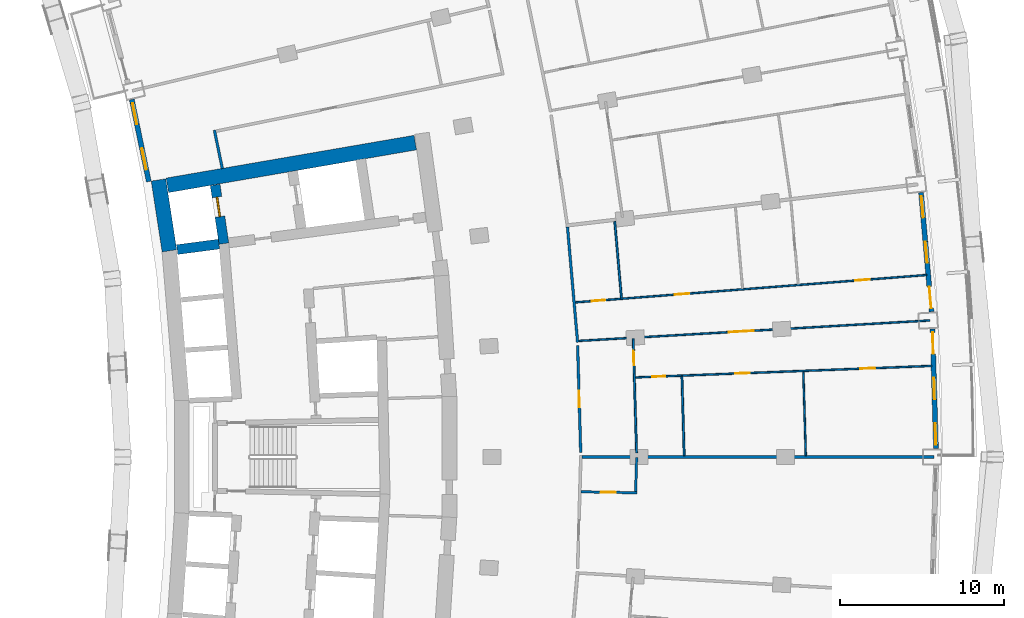
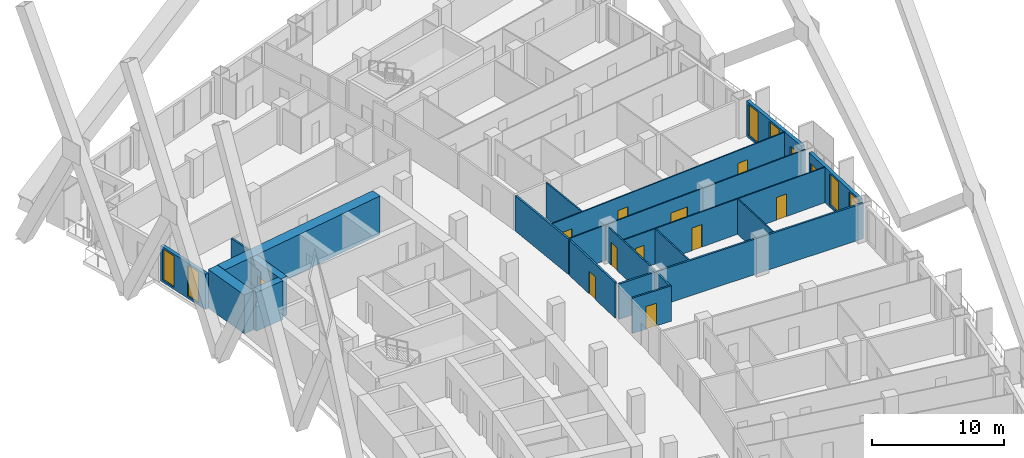
# One storey, part 16 of 23: 20 walls, 13 doors, 6 windows, 19 openings.
"""IFC4 building model written with IfcOpenShell, lengths in metres."""

from ifc_helpers import new_model, si_unit, direction, frame, frame_2d, origin, place, context, subcontext, project, spatial, rectangle, extrude, material, layer, layer_set, type_object, element, fill, save


model = new_model("IFC4")

# Units and contexts
model_context = context("Model", 3, precision=1e-05, world=origin(), true_north=direction((0.0, 1.0)))
body_context = subcontext(model_context, "Body", "Model", "MODEL_VIEW")
ifc_project = project(units=[si_unit("LENGTHUNIT", "METRE"), si_unit("AREAUNIT", "SQUARE_METRE"), si_unit("VOLUMEUNIT", "CUBIC_METRE"), si_unit("PLANEANGLEUNIT", "RADIAN"), si_unit("MASSUNIT", "GRAM", prefix="KILO")], contexts=[model_context])

# Site, building, storey
site_placement = place(None, origin())
site = spatial("IfcSite", under=ifc_project, at=site_placement, CompositionType="ELEMENT")
building_placement = place(site_placement, origin())
building = spatial("IfcBuilding", under=site, at=building_placement, Name="Alderwake Tower", CompositionType="ELEMENT")
storey_placement = place(building_placement, frame((0.0, 0.0, 53.60009765625)))
storey = spatial("IfcBuildingStorey", under=building, at=storey_placement, Name="L12", CompositionType="ELEMENT", Elevation=53.60009765625)

# Walls
ifc_material_1 = material(Name="Concrete C70/85", Category="concrete")
ifc_layer_1 = layer(ifc_material_1, 0.89990234375)
ifc_layer_set_1 = layer_set([ifc_layer_1], Name="Core wall outer 900 C70-85")
wall_type_1 = type_object("IfcWallType", Name="Core wall outer 900 C70-85", PredefinedType="SHEAR", material=ifc_layer_set_1)
wall_1_placement = place(storey_placement, frame((16.1337890625, 73.557373046875, 0.0), z_axis=(0.0, 0.0, 1.0), x_axis=(-0.151956504286, 0.988387181627, 0.0)))
element("IfcWall", 1, at=wall_1_placement, inside=storey, type_object=wall_type_1, Name="Core wall CW.039", PredefinedType="SHEAR", context=body_context, shape_type="SweptSolid", body=[
    extrude(rectangle(XDim=4.373291015625, YDim=0.89990234375, at=frame_2d((2.1865234375, 0.0))), origin(), (0.0, 0.0, 1.0), 3.599853515625),
])
wall_2_placement = place(storey_placement, frame((16.005615234375, 77.548828125, 0.0), z_axis=(0.0, 0.0, 1.0), x_axis=(0.985465815888, 0.169873852363, 0.0)))
element("IfcWall", 2, at=wall_2_placement, inside=storey, type_object=wall_type_1, Name="Core wall CW.053", PredefinedType="SHEAR", context=body_context, shape_type="SweptSolid", body=[
    extrude(rectangle(XDim=15.33056640625, YDim=0.89990234375, at=frame_2d((7.665283203125, 0.0))), origin(), (0.0, 0.0, 1.0), 3.599853515625),
])

# Wall, opening, door
ifc_material_2 = material(Name="Concrete C70/85", Category="concrete")
ifc_layer_2 = layer(ifc_material_2, 0.60009765625)
ifc_layer_set_2 = layer_set([ifc_layer_2], Name="Core wall spine 600 C70-85")
wall_type_2 = type_object("IfcWallType", Name="Core wall spine 600 C70-85", PredefinedType="SHEAR", material=ifc_layer_set_2)
wall_3_placement = place(storey_placement, frame((19.45458984375, 73.99755859375, 0.0), z_axis=(0.0, 0.0, 1.0), x_axis=(-0.147502312715, 0.989061710786, 0.0)))
wall_3 = element("IfcWall", 3, at=wall_3_placement, inside=storey, type_object=wall_type_2, Name="Core wall CW.030", PredefinedType="SHEAR", context=body_context, shape_type="SweptSolid", body=[
    extrude(rectangle(XDim=3.6181640625, YDim=0.60009765625, at=frame_2d((1.80908203125, 0.0))), origin(), (0.0, 0.0, 1.0), 3.599853515625),
])
opening_1_placement = place(wall_3_placement, frame((1.664306640625, 0.0, 0.0)))
opening_1 = element("IfcOpeningElement", 4, at=opening_1_placement, cuts=wall_3, Name="Opening LD-FF1", PredefinedType="OPENING", context=body_context, shape_type="SweptSolid", body=[
    extrude(rectangle(XDim=1.199951171875, YDim=2.300048828125, at=frame_2d((0.60009765625, 1.14990234375))), frame((0.0, 0.31005859375, 0.0), z_axis=(0.0, -1.0, 0.0), x_axis=(1.0, 0.0, 0.0)), (0.0, 0.0, 1.0), 0.6201171875),
])
ifc_material_3 = material(Name="Stainless steel sliding leaf", Category="steel")
door_type_1 = type_object("IfcDoorType", Name="Lift landing door 1200", OperationType="SLIDING_TO_LEFT", PredefinedType="DOOR", material=ifc_material_3)
door_1_placement = place(opening_1_placement, origin())
door_1 = element("IfcDoor", 5, at=door_1_placement, inside=storey, type_object=door_type_1, Name="Lift landing door FF1", OperationType="SLIDING_TO_LEFT", OverallHeight=2.300048828125, OverallWidth=1.199951171875, PredefinedType="DOOR", context=body_context, shape_type="SweptSolid", body=[
    extrude(rectangle(XDim=1.199951171875, YDim=2.300048828125, at=frame_2d((0.60009765625, 1.14990234375))), frame((0.0, 0.050048828125, 0.0), z_axis=(0.0, -1.0, 0.0), x_axis=(1.0, 0.0, 0.0)), (0.0, 0.0, 1.0), 0.10009765625),
])
fill(opening_1, door_1)

# Walls
wall_4_placement = place(storey_placement, frame((16.607666015625, 73.635498046875, 0.0), z_axis=(0.0, 0.0, 1.0), x_axis=(0.991551057449, 0.129717001478, 0.0)))
element("IfcWall", 6, at=wall_4_placement, inside=storey, type_object=wall_type_2, Name="Core wall CW.051", PredefinedType="SHEAR", context=body_context, shape_type="SweptSolid", body=[
    extrude(rectangle(XDim=2.569091796875, YDim=0.60009765625, at=frame_2d((1.28466796875, 0.0))), origin(), (0.0, 0.0, 1.0), 3.599853515625),
])
ifc_material_4 = material(Name="Gypsum board on metal studs, rated")
ifc_layer_3 = layer(ifc_material_4, 0.159912109375)
ifc_layer_set_3 = layer_set([ifc_layer_3], Name="Corridor wall 160")
wall_type_3 = type_object("IfcWallType", Name="Corridor wall 160", PredefinedType="PARTITIONING", material=ifc_layer_set_3)
wall_5_placement = place(storey_placement, frame((18.874755859375, 80.910400390625, 0.0), z_axis=(0.0, 0.0, 1.0), x_axis=(0.202312089075, -0.979321100873, 0.0)))
element("IfcWall", 7, at=wall_5_placement, inside=storey, type_object=wall_type_3, Name="WL/L12/W15", PredefinedType="PARTITIONING", context=body_context, shape_type="SweptSolid", body=[
    extrude(rectangle(XDim=2.39306640625, YDim=0.159912109375, at=frame_2d((1.196533203125, 0.0))), origin(), (0.0, 0.0, 1.0), 3.27978515625),
])
wall_6_placement = place(storey_placement, frame((41.001953125, 67.9873046875, 0.0), z_axis=(0.0, 0.0, 1.0), x_axis=(-0.087430787456, 0.996170596537, 0.0)))
element("IfcWall", 8, at=wall_6_placement, inside=storey, type_object=wall_type_3, Name="WL/L12/W37", PredefinedType="PARTITIONING", context=body_context, shape_type="SweptSolid", body=[
    extrude(rectangle(XDim=7.048095703125, YDim=0.159912109375, at=frame_2d((3.52392578125, 0.0))), origin(), (0.0, 0.0, 1.0), 3.27978515625),
])

# Wall, opening, door
wall_7_placement = place(storey_placement, frame((41.002685546875, 67.80029296875, 0.0), z_axis=(0.0, 0.0, 1.0), x_axis=(0.02886788617, -0.999583235728, 0.0)))
wall_7 = element("IfcWall", 9, at=wall_7_placement, inside=storey, type_object=wall_type_3, Name="WL/L12/W38", PredefinedType="PARTITIONING", context=body_context, shape_type="SweptSolid", body=[
    extrude(rectangle(XDim=6.537353515625, YDim=0.159912109375, at=frame_2d((3.2685546875, 0.0))), origin(), (0.0, 0.0, 1.0), 3.27978515625),
])
opening_2_placement = place(wall_7_placement, frame((2.768798828125, 0.0, 0.0)))
opening_2 = element("IfcOpeningElement", 10, at=opening_2_placement, cuts=wall_7, Name="Opening R03-U07.2", PredefinedType="OPENING", context=body_context, shape_type="SweptSolid", body=[
    extrude(rectangle(XDim=1.0, YDim=2.10009765625, at=frame_2d((0.5, 1.050048828125))), frame((0.0, 0.08984375, 0.0), z_axis=(0.0, -1.0, 0.0), x_axis=(1.0, 0.0, 0.0)), (0.0, 0.0, 1.0), 0.179931640625),
])
ifc_material_5 = material(Name="Solid timber leaf in steel frame", Category="steel")
door_type_2 = type_object("IfcDoorType", Name="Flat entrance door 1000 fire-rated", OperationType="SINGLE_SWING_LEFT", PredefinedType="DOOR", material=ifc_material_5)
door_2_placement = place(opening_2_placement, origin())
door_2 = element("IfcDoor", 11, at=door_2_placement, inside=storey, type_object=door_type_2, Name="DR/L12/U07.2", OperationType="SINGLE_SWING_LEFT", OverallHeight=2.10009765625, OverallWidth=1.0, PredefinedType="DOOR", context=body_context, shape_type="SweptSolid", body=[
    extrude(rectangle(XDim=1.0, YDim=2.10009765625, at=frame_2d((0.5, 1.050048828125))), frame((0.0, 0.02490234375, 0.0), z_axis=(0.0, -1.0, 0.0), x_axis=(1.0, 0.0, 0.0)), (0.0, 0.0, 1.0), 0.050048828125),
])
fill(opening_2, door_2)

# Wall
wall_8_placement = place(storey_placement, frame((62.699951171875, 60.9990234375, 0.0), z_axis=(0.0, 0.0, 1.0), x_axis=(-1.0, 0.0, 0.0)))
element("IfcWall", 12, at=wall_8_placement, inside=storey, type_object=wall_type_3, Name="WL/L12/W40", PredefinedType="PARTITIONING", context=body_context, shape_type="SweptSolid", body=[
    extrude(rectangle(XDim=21.4208984375, YDim=0.159912109375, at=frame_2d((10.71044921875, 0.0))), origin(), (0.0, 0.0, 1.0), 3.27978515625),
])

# Wall, openings, door, windows
ifc_material_6 = material(Name="Precast concrete C50/60 spandrel panel", Category="concrete")
ifc_layer_4 = layer(ifc_material_6, 0.300048828125)
ifc_layer_set_4 = layer_set([ifc_layer_4], Name="External wall EW1 Precast concrete C50/60 spandrel")
wall_type_4 = type_object("IfcWallType", Name="External wall EW1 Precast concrete C50/60 spandrel", PredefinedType="SOLIDWALL", material=ifc_layer_set_4)
wall_9_placement = place(storey_placement, frame((62.834716796875, 61.5244140625, 0.0), z_axis=(0.0, 0.0, 1.0), x_axis=(-0.029166550581, 0.999574565666, 0.0)))
wall_9 = element("IfcWall", 13, at=wall_9_placement, inside=storey, type_object=wall_type_4, Name="External wall 17", PredefinedType="SOLIDWALL", context=body_context, shape_type="SweptSolid", body=[
    extrude(rectangle(XDim=7.282470703125, YDim=0.300048828125, at=frame_2d((3.64111328125, 0.0))), origin(), (0.0, 0.0, 1.0), 3.27978515625),
])
opening_3_placement = place(wall_9_placement, frame((0.218994140625, 0.0, 0.199951171875)))
opening_3 = element("IfcOpeningElement", 14, at=opening_3_placement, cuts=wall_9, Name="Opening W1", PredefinedType="OPENING", context=body_context, shape_type="SweptSolid", body=[
    extrude(rectangle(XDim=1.300048828125, YDim=2.89990234375, at=frame_2d((0.64990234375, 1.449951171875))), frame((0.0, 0.159912109375, 0.0), z_axis=(0.0, -1.0, 0.0), x_axis=(1.0, 0.0, 0.0)), (0.0, 0.0, 1.0), 0.320068359375),
])
opening_4_placement = place(wall_9_placement, frame((2.9912109375, 0.0, 0.199951171875)))
opening_4 = element("IfcOpeningElement", 15, at=opening_4_placement, cuts=wall_9, Name="Opening W1", PredefinedType="OPENING", context=body_context, shape_type="SweptSolid", body=[
    extrude(rectangle(XDim=1.300048828125, YDim=2.89990234375, at=frame_2d((0.64990234375, 1.449951171875))), frame((0.0, 0.159912109375, 0.0), z_axis=(0.0, -1.0, 0.0), x_axis=(1.0, 0.0, 0.0)), (0.0, 0.0, 1.0), 0.320068359375),
])
opening_5_placement = place(wall_9_placement, frame((5.763671875, 0.0, 0.0)))
opening_5 = element("IfcOpeningElement", 16, at=opening_5_placement, cuts=wall_9, Name="Opening D07", PredefinedType="OPENING", context=body_context, shape_type="SweptSolid", body=[
    extrude(rectangle(XDim=1.300048828125, YDim=2.39990234375, at=frame_2d((0.64990234375, 1.199951171875))), frame((0.0, 0.159912109375, 0.0), z_axis=(0.0, -1.0, 0.0), x_axis=(1.0, 0.0, 0.0)), (0.0, 0.0, 1.0), 0.320068359375),
])
ifc_material_7 = material(Name="Bronze tinted glass in aluminium frame", Category="aluminium")
door_type_3 = type_object("IfcDoorType", Name="Balcony door BD sliding", OperationType="SLIDING_TO_LEFT", PredefinedType="DOOR", material=ifc_material_7)
door_3_placement = place(opening_5_placement, origin())
door_3 = element("IfcDoor", 17, at=door_3_placement, inside=storey, type_object=door_type_3, Name="Door D07", OperationType="SLIDING_TO_LEFT", OverallHeight=2.39990234375, OverallWidth=1.300048828125, PredefinedType="DOOR", context=body_context, shape_type="SweptSolid", body=[
    extrude(rectangle(XDim=1.300048828125, YDim=2.39990234375, at=frame_2d((0.64990234375, 1.199951171875))), frame((0.0, 0.02490234375, 0.0), z_axis=(0.0, -1.0, 0.0), x_axis=(1.0, 0.0, 0.0)), (0.0, 0.0, 1.0), 0.050048828125),
])
fill(opening_5, door_3)
ifc_material_8 = material(Name="Bronze tinted glass in aluminium frame", Category="aluminium")
window_type = type_object("IfcWindowType", Name="Window W1 tall fixed and vent", PartitioningType="DOUBLE_PANEL_VERTICAL", PredefinedType="WINDOW", material=ifc_material_8)
window_1_placement = place(opening_3_placement, origin())
window_1 = element("IfcWindow", 18, at=window_1_placement, inside=storey, type_object=window_type, Name="Window W1 tall fixed and vent", OverallHeight=2.89990234375, OverallWidth=1.300048828125, PartitioningType="DOUBLE_PANEL_VERTICAL", PredefinedType="WINDOW", context=body_context, shape_type="SweptSolid", body=[
    extrude(rectangle(XDim=1.300048828125, YDim=2.89990234375, at=frame_2d((0.64990234375, 1.449951171875))), frame((0.0, 0.030029296875, 0.0), z_axis=(0.0, -1.0, 0.0), x_axis=(1.0, 0.0, 0.0)), (0.0, 0.0, 1.0), 0.06005859375),
])
fill(opening_3, window_1)
window_2_placement = place(opening_4_placement, origin())
window_2 = element("IfcWindow", 19, at=window_2_placement, inside=storey, type_object=window_type, Name="Window W1 tall fixed and vent", OverallHeight=2.89990234375, OverallWidth=1.300048828125, PartitioningType="DOUBLE_PANEL_VERTICAL", PredefinedType="WINDOW", context=body_context, shape_type="SweptSolid", body=[
    extrude(rectangle(XDim=1.300048828125, YDim=2.89990234375, at=frame_2d((0.64990234375, 1.449951171875))), frame((0.0, 0.030029296875, 0.0), z_axis=(0.0, -1.0, 0.0), x_axis=(1.0, 0.0, 0.0)), (0.0, 0.0, 1.0), 0.06005859375),
])
fill(opening_4, window_2)

wall_10_placement = place(storey_placement, frame((62.56103515625, 69.8505859375, 0.0), z_axis=(0.0, 0.0, 1.0), x_axis=(-0.087361569519, 0.996176669156, 0.0)))
wall_10 = element("IfcWall", 20, at=wall_10_placement, inside=storey, type_object=wall_type_4, Name="External wall 18", PredefinedType="SOLIDWALL", context=body_context, shape_type="SweptSolid", body=[
    extrude(rectangle(XDim=7.28271484375, YDim=0.300048828125, at=frame_2d((3.641357421875, 0.0))), origin(), (0.0, 0.0, 1.0), 3.27978515625),
])
opening_6_placement = place(wall_10_placement, frame((0.218994140625, 0.0, 0.0)))
opening_6 = element("IfcOpeningElement", 21, at=opening_6_placement, cuts=wall_10, Name="Opening D08", PredefinedType="OPENING", context=body_context, shape_type="SweptSolid", body=[
    extrude(rectangle(XDim=1.300048828125, YDim=2.39990234375, at=frame_2d((0.64990234375, 1.199951171875))), frame((0.0, 0.159912109375, 0.0), z_axis=(0.0, -1.0, 0.0), x_axis=(1.0, 0.0, 0.0)), (0.0, 0.0, 1.0), 0.320068359375),
])
opening_7_placement = place(wall_10_placement, frame((2.9912109375, 0.0, 0.199951171875)))
opening_7 = element("IfcOpeningElement", 22, at=opening_7_placement, cuts=wall_10, Name="Opening W1", PredefinedType="OPENING", context=body_context, shape_type="SweptSolid", body=[
    extrude(rectangle(XDim=1.300048828125, YDim=2.89990234375, at=frame_2d((0.64990234375, 1.449951171875))), frame((0.0, 0.159912109375, 0.0), z_axis=(0.0, -1.0, 0.0), x_axis=(1.0, 0.0, 0.0)), (0.0, 0.0, 1.0), 0.320068359375),
])
opening_8_placement = place(wall_10_placement, frame((5.763671875, 0.0, 0.199951171875)))
opening_8 = element("IfcOpeningElement", 23, at=opening_8_placement, cuts=wall_10, Name="Opening W1", PredefinedType="OPENING", context=body_context, shape_type="SweptSolid", body=[
    extrude(rectangle(XDim=1.300048828125, YDim=2.89990234375, at=frame_2d((0.64990234375, 1.449951171875))), frame((0.0, 0.159912109375, 0.0), z_axis=(0.0, -1.0, 0.0), x_axis=(1.0, 0.0, 0.0)), (0.0, 0.0, 1.0), 0.320068359375),
])
door_4_placement = place(opening_6_placement, origin())
door_4 = element("IfcDoor", 24, at=door_4_placement, inside=storey, type_object=door_type_3, Name="Door D08", OperationType="SLIDING_TO_LEFT", OverallHeight=2.39990234375, OverallWidth=1.300048828125, PredefinedType="DOOR", context=body_context, shape_type="SweptSolid", body=[
    extrude(rectangle(XDim=1.300048828125, YDim=2.39990234375, at=frame_2d((0.64990234375, 1.199951171875))), frame((0.0, 0.02490234375, 0.0), z_axis=(0.0, -1.0, 0.0), x_axis=(1.0, 0.0, 0.0)), (0.0, 0.0, 1.0), 0.050048828125),
])
fill(opening_6, door_4)
window_3_placement = place(opening_7_placement, origin())
window_3 = element("IfcWindow", 25, at=window_3_placement, inside=storey, type_object=window_type, Name="Window W1 tall fixed and vent", OverallHeight=2.89990234375, OverallWidth=1.300048828125, PartitioningType="DOUBLE_PANEL_VERTICAL", PredefinedType="WINDOW", context=body_context, shape_type="SweptSolid", body=[
    extrude(rectangle(XDim=1.300048828125, YDim=2.89990234375, at=frame_2d((0.64990234375, 1.449951171875))), frame((0.0, 0.030029296875, 0.0), z_axis=(0.0, -1.0, 0.0), x_axis=(1.0, 0.0, 0.0)), (0.0, 0.0, 1.0), 0.06005859375),
])
fill(opening_7, window_3)
window_4_placement = place(opening_8_placement, origin())
window_4 = element("IfcWindow", 26, at=window_4_placement, inside=storey, type_object=window_type, Name="Window W1 tall fixed and vent", OverallHeight=2.89990234375, OverallWidth=1.300048828125, PartitioningType="DOUBLE_PANEL_VERTICAL", PredefinedType="WINDOW", context=body_context, shape_type="SweptSolid", body=[
    extrude(rectangle(XDim=1.300048828125, YDim=2.89990234375, at=frame_2d((0.64990234375, 1.449951171875))), frame((0.0, 0.030029296875, 0.0), z_axis=(0.0, -1.0, 0.0), x_axis=(1.0, 0.0, 0.0)), (0.0, 0.0, 1.0), 0.06005859375),
])
fill(opening_8, window_4)

# Wall, openings, windows
wall_11_placement = place(storey_placement, frame((13.842529296875, 82.77880859375, 0.0), z_axis=(0.0, 0.0, 1.0), x_axis=(0.202738354746, -0.979232944459, 0.0)))
wall_11 = element("IfcWall", 27, at=wall_11_placement, inside=storey, type_object=wall_type_4, Name="External wall 34", PredefinedType="SOLIDWALL", context=body_context, shape_type="SweptSolid", body=[
    extrude(rectangle(XDim=5.1083984375, YDim=0.300048828125, at=frame_2d((2.55419921875, 0.0))), origin(), (0.0, 0.0, 1.0), 3.27978515625),
])
opening_9_placement = place(wall_11_placement, frame((0.239013671875, 0.0, 0.199951171875)))
opening_9 = element("IfcOpeningElement", 28, at=opening_9_placement, cuts=wall_11, Name="Opening W1", PredefinedType="OPENING", context=body_context, shape_type="SweptSolid", body=[
    extrude(rectangle(XDim=1.300048828125, YDim=2.89990234375, at=frame_2d((0.64990234375, 1.449951171875))), frame((0.0, 0.159912109375, 0.0), z_axis=(0.0, -1.0, 0.0), x_axis=(1.0, 0.0, 0.0)), (0.0, 0.0, 1.0), 0.320068359375),
])
opening_10_placement = place(wall_11_placement, frame((3.0517578125, 0.0, 0.199951171875)))
opening_10 = element("IfcOpeningElement", 29, at=opening_10_placement, cuts=wall_11, Name="Opening W1", PredefinedType="OPENING", context=body_context, shape_type="SweptSolid", body=[
    extrude(rectangle(XDim=1.300048828125, YDim=2.89990234375, at=frame_2d((0.64990234375, 1.449951171875))), frame((0.0, 0.159912109375, 0.0), z_axis=(0.0, -1.0, 0.0), x_axis=(1.0, 0.0, 0.0)), (0.0, 0.0, 1.0), 0.320068359375),
])
window_5_placement = place(opening_9_placement, origin())
window_5 = element("IfcWindow", 30, at=window_5_placement, inside=storey, type_object=window_type, Name="Window W1 tall fixed and vent", OverallHeight=2.89990234375, OverallWidth=1.300048828125, PartitioningType="DOUBLE_PANEL_VERTICAL", PredefinedType="WINDOW", context=body_context, shape_type="SweptSolid", body=[
    extrude(rectangle(XDim=1.300048828125, YDim=2.89990234375, at=frame_2d((0.64990234375, 1.449951171875))), frame((0.0, 0.030029296875, 0.0), z_axis=(0.0, -1.0, 0.0), x_axis=(1.0, 0.0, 0.0)), (0.0, 0.0, 1.0), 0.06005859375),
])
fill(opening_9, window_5)
window_6_placement = place(opening_10_placement, origin())
window_6 = element("IfcWindow", 31, at=window_6_placement, inside=storey, type_object=window_type, Name="Window W1 tall fixed and vent", OverallHeight=2.89990234375, OverallWidth=1.300048828125, PartitioningType="DOUBLE_PANEL_VERTICAL", PredefinedType="WINDOW", context=body_context, shape_type="SweptSolid", body=[
    extrude(rectangle(XDim=1.300048828125, YDim=2.89990234375, at=frame_2d((0.64990234375, 1.449951171875))), frame((0.0, 0.030029296875, 0.0), z_axis=(0.0, -1.0, 0.0), x_axis=(1.0, 0.0, 0.0)), (0.0, 0.0, 1.0), 0.06005859375),
])
fill(opening_10, window_6)

# Wall, opening, door
ifc_material_9 = material(Name="Gypsum shaft wall system, rated")
ifc_layer_5 = layer(ifc_material_9, 0.14990234375)
ifc_layer_set_5 = layer_set([ifc_layer_5], Name="Riser and shaft wall 150")
wall_type_5 = type_object("IfcWallType", Name="Riser and shaft wall 150", PredefinedType="PARTITIONING", material=ifc_layer_set_5)
wall_12_placement = place(storey_placement, frame((41.218994140625, 58.879638671875, 0.0), z_axis=(0.0, 0.0, 1.0), x_axis=(0.999843204507, -0.017707806214, 0.0)))
wall_12 = element("IfcWall", 32, at=wall_12_placement, inside=storey, type_object=wall_type_5, Name="WL/L12/W11", PredefinedType="PARTITIONING", context=body_context, shape_type="SweptSolid", body=[
    extrude(rectangle(XDim=3.3916015625, YDim=0.14990234375, at=frame_2d((1.69580078125, 0.0))), origin(), (0.0, 0.0, 1.0), 3.27978515625),
])
opening_11_placement = place(wall_12_placement, frame((1.208984375, 0.0, 0.0)))
opening_11 = element("IfcOpeningElement", 33, at=opening_11_placement, cuts=wall_12, Name="Opening R03-AM1.2", PredefinedType="OPENING", context=body_context, shape_type="SweptSolid", body=[
    extrude(rectangle(XDim=0.89990234375, YDim=2.10009765625, at=frame_2d((0.449951171875, 1.050048828125))), frame((0.0, 0.0849609375, 0.0), z_axis=(0.0, -1.0, 0.0), x_axis=(1.0, 0.0, 0.0)), (0.0, 0.0, 1.0), 0.169921875),
])
ifc_material_10 = material(Name="Painted timber leaf", Category="wood")
door_type_4 = type_object("IfcDoorType", Name="Room door 900", OperationType="SINGLE_SWING_LEFT", PredefinedType="DOOR", material=ifc_material_10)
door_5_placement = place(opening_11_placement, origin())
door_5 = element("IfcDoor", 34, at=door_5_placement, inside=storey, type_object=door_type_4, Name="DR/L12/AM1.2", OperationType="SINGLE_SWING_LEFT", OverallHeight=2.10009765625, OverallWidth=0.89990234375, PredefinedType="DOOR", context=body_context, shape_type="SweptSolid", body=[
    extrude(rectangle(XDim=0.89990234375, YDim=2.10009765625, at=frame_2d((0.449951171875, 1.050048828125))), frame((0.0, 0.02490234375, 0.0), z_axis=(0.0, -1.0, 0.0), x_axis=(1.0, 0.0, 0.0)), (0.0, 0.0, 1.0), 0.050048828125),
])
fill(opening_11, door_5)

# Wall
wall_13_placement = place(storey_placement, frame((44.537353515625, 58.89599609375, 0.0), z_axis=(0.0, 0.0, 1.0), x_axis=(0.030225283969, 0.999543111731, 0.0)))
element("IfcWall", 35, at=wall_13_placement, inside=storey, type_object=wall_type_5, Name="WL/L12/W12", PredefinedType="PARTITIONING", context=body_context, shape_type="SweptSolid", body=[
    extrude(rectangle(XDim=2.083984375, YDim=0.14990234375, at=frame_2d((1.0419921875, 0.0))), origin(), (0.0, 0.0, 1.0), 3.27978515625),
])

# Wall, openings, doors
ifc_material_11 = material(Name="Gypsum board on metal studs")
ifc_layer_6 = layer(ifc_material_11, 0.10009765625)
ifc_layer_set_6 = layer_set([ifc_layer_6], Name="Unit partition 100")
wall_type_6 = type_object("IfcWallType", Name="Unit partition 100", PredefinedType="PARTITIONING", material=ifc_layer_set_6)
wall_14_placement = place(storey_placement, frame((40.867919921875, 70.419189453125, 0.0), z_axis=(0.0, 0.0, 1.0), x_axis=(0.996976285656, 0.07770640797, 0.0)))
wall_14 = element("IfcWall", 36, at=wall_14_placement, inside=storey, type_object=wall_type_6, Name="WL/L12/W70", PredefinedType="PARTITIONING", context=body_context, shape_type="SweptSolid", body=[
    extrude(rectangle(XDim=21.4619140625, YDim=0.10009765625, at=frame_2d((10.73095703125, 0.0))), origin(), (0.0, 0.0, 1.0), 3.27978515625),
])
opening_12_placement = place(wall_14_placement, frame((6.0703125, 0.0, 0.0)))
opening_12 = element("IfcOpeningElement", 37, at=opening_12_placement, cuts=wall_14, Name="Opening R03-U07.6", PredefinedType="OPENING", context=body_context, shape_type="SweptSolid", body=[
    extrude(rectangle(XDim=0.89990234375, YDim=2.10009765625, at=frame_2d((0.449951171875, 1.050048828125))), frame((0.0, 0.06005859375, 0.0), z_axis=(0.0, -1.0, 0.0), x_axis=(1.0, 0.0, 0.0)), (0.0, 0.0, 1.0), 0.1201171875),
])
opening_13_placement = place(wall_14_placement, frame((1.009521484375, 0.0, 0.0)))
opening_13 = element("IfcOpeningElement", 38, at=opening_13_placement, cuts=wall_14, Name="Opening R03-U07.7", PredefinedType="OPENING", context=body_context, shape_type="SweptSolid", body=[
    extrude(rectangle(XDim=0.800048828125, YDim=2.10009765625, at=frame_2d((0.39990234375, 1.050048828125))), frame((0.0, 0.06005859375, 0.0), z_axis=(0.0, -1.0, 0.0), x_axis=(1.0, 0.0, 0.0)), (0.0, 0.0, 1.0), 0.1201171875),
])
opening_14_placement = place(wall_14_placement, frame((17.0908203125, 0.0, 0.0)))
opening_14 = element("IfcOpeningElement", 39, at=opening_14_placement, cuts=wall_14, Name="Opening R03-U07.8", PredefinedType="OPENING", context=body_context, shape_type="SweptSolid", body=[
    extrude(rectangle(XDim=0.89990234375, YDim=2.10009765625, at=frame_2d((0.449951171875, 1.050048828125))), frame((0.0, 0.06005859375, 0.0), z_axis=(0.0, -1.0, 0.0), x_axis=(1.0, 0.0, 0.0)), (0.0, 0.0, 1.0), 0.1201171875),
])
ifc_material_12 = material(Name="Painted timber leaf", Category="wood")
door_type_5 = type_object("IfcDoorType", Name="Bathroom door 800", OperationType="SINGLE_SWING_LEFT", PredefinedType="DOOR", material=ifc_material_12)
door_6_placement = place(opening_13_placement, origin())
door_6 = element("IfcDoor", 40, at=door_6_placement, inside=storey, type_object=door_type_5, Name="DR/L12/U07.7", OperationType="SINGLE_SWING_LEFT", OverallHeight=2.10009765625, OverallWidth=0.800048828125, PredefinedType="DOOR", context=body_context, shape_type="SweptSolid", body=[
    extrude(rectangle(XDim=0.800048828125, YDim=2.10009765625, at=frame_2d((0.39990234375, 1.050048828125))), frame((0.0, 0.02490234375, 0.0), z_axis=(0.0, -1.0, 0.0), x_axis=(1.0, 0.0, 0.0)), (0.0, 0.0, 1.0), 0.050048828125),
])
fill(opening_13, door_6)
door_7_placement = place(opening_12_placement, origin())
door_7 = element("IfcDoor", 41, at=door_7_placement, inside=storey, type_object=door_type_4, Name="DR/L12/U07.6", OperationType="SINGLE_SWING_LEFT", OverallHeight=2.10009765625, OverallWidth=0.89990234375, PredefinedType="DOOR", context=body_context, shape_type="SweptSolid", body=[
    extrude(rectangle(XDim=0.89990234375, YDim=2.10009765625, at=frame_2d((0.449951171875, 1.050048828125))), frame((0.0, 0.02490234375, 0.0), z_axis=(0.0, -1.0, 0.0), x_axis=(1.0, 0.0, 0.0)), (0.0, 0.0, 1.0), 0.050048828125),
])
fill(opening_12, door_7)
door_8_placement = place(opening_14_placement, origin())
door_8 = element("IfcDoor", 42, at=door_8_placement, inside=storey, type_object=door_type_4, Name="DR/L12/U07.8", OperationType="SINGLE_SWING_LEFT", OverallHeight=2.10009765625, OverallWidth=0.89990234375, PredefinedType="DOOR", context=body_context, shape_type="SweptSolid", body=[
    extrude(rectangle(XDim=0.89990234375, YDim=2.10009765625, at=frame_2d((0.449951171875, 1.050048828125))), frame((0.0, 0.02490234375, 0.0), z_axis=(0.0, -1.0, 0.0), x_axis=(1.0, 0.0, 0.0)), (0.0, 0.0, 1.0), 0.050048828125),
])
fill(opening_14, door_8)

# Wall, opening, door
wall_15_placement = place(storey_placement, frame((41.074951171875, 68.07177734375, 0.0), z_axis=(0.0, 0.0, 1.0), x_axis=(0.99830551882, 0.058190128836, 0.0)))
wall_15 = element("IfcWall", 43, at=wall_15_placement, inside=storey, type_object=wall_type_6, Name="WL/L12/W71", PredefinedType="PARTITIONING", context=body_context, shape_type="SweptSolid", body=[
    extrude(rectangle(XDim=21.41845703125, YDim=0.10009765625, at=frame_2d((10.709228515625, 0.0))), origin(), (0.0, 0.0, 1.0), 3.27978515625),
])
opening_15_placement = place(wall_15_placement, frame((9.164306640625, 0.0, 0.0)))
opening_15 = element("IfcOpeningElement", 44, at=opening_15_placement, cuts=wall_15, Name="Opening R03-U07.10", PredefinedType="OPENING", context=body_context, shape_type="SweptSolid", body=[
    extrude(rectangle(XDim=1.5, YDim=2.10009765625, at=frame_2d((0.75, 1.050048828125))), frame((0.0, 0.06005859375, 0.0), z_axis=(0.0, -1.0, 0.0), x_axis=(1.0, 0.0, 0.0)), (0.0, 0.0, 1.0), 0.1201171875),
])
ifc_material_13 = material(Name="Painted timber leaves", Category="wood")
door_type_6 = type_object("IfcDoorType", Name="Double leaf door 1500", OperationType="DOUBLE_DOOR_SINGLE_SWING", PredefinedType="DOOR", material=ifc_material_13)
door_9_placement = place(opening_15_placement, origin())
door_9 = element("IfcDoor", 45, at=door_9_placement, inside=storey, type_object=door_type_6, Name="DR/L12/U07.10", OperationType="DOUBLE_DOOR_SINGLE_SWING", OverallHeight=2.10009765625, OverallWidth=1.5, PredefinedType="DOOR", context=body_context, shape_type="SweptSolid", body=[
    extrude(rectangle(XDim=1.5, YDim=2.10009765625, at=frame_2d((0.75, 1.050048828125))), frame((0.0, 0.02490234375, 0.0), z_axis=(0.0, -1.0, 0.0), x_axis=(1.0, 0.0, 0.0)), (0.0, 0.0, 1.0), 0.050048828125),
])
fill(opening_15, door_9)

# Wall, openings, doors
wall_16_placement = place(storey_placement, frame((62.589111328125, 66.549072265625, 0.0), z_axis=(0.0, 0.0, 1.0), x_axis=(-0.999244267226, -0.038870225309, 0.0)))
wall_16 = element("IfcWall", 46, at=wall_16_placement, inside=storey, type_object=wall_type_6, Name="WL/L12/W74", PredefinedType="PARTITIONING", context=body_context, shape_type="SweptSolid", body=[
    extrude(rectangle(XDim=18.082763671875, YDim=0.10009765625, at=frame_2d((9.04150390625, 0.0))), origin(), (0.0, 0.0, 1.0), 3.27978515625),
])
opening_16_placement = place(wall_16_placement, frame((11.09375, 0.0, 0.0)))
opening_16 = element("IfcOpeningElement", 47, at=opening_16_placement, cuts=wall_16, Name="Opening R03-U07.1", PredefinedType="OPENING", context=body_context, shape_type="SweptSolid", body=[
    extrude(rectangle(XDim=0.89990234375, YDim=2.10009765625, at=frame_2d((0.449951171875, 1.050048828125))), frame((0.0, 0.06005859375, 0.0), z_axis=(0.0, -1.0, 0.0), x_axis=(1.0, 0.0, 0.0)), (0.0, 0.0, 1.0), 0.1201171875),
])
opening_17_placement = place(wall_16_placement, frame((16.263916015625, 0.0, 0.0)))
opening_17 = element("IfcOpeningElement", 48, at=opening_17_placement, cuts=wall_16, Name="Opening R03-U07.4", PredefinedType="OPENING", context=body_context, shape_type="SweptSolid", body=[
    extrude(rectangle(XDim=0.800048828125, YDim=2.10009765625, at=frame_2d((0.39990234375, 1.050048828125))), frame((0.0, 0.06005859375, 0.0), z_axis=(0.0, -1.0, 0.0), x_axis=(1.0, 0.0, 0.0)), (0.0, 0.0, 1.0), 0.1201171875),
])
opening_18_placement = place(wall_16_placement, frame((3.471435546875, 0.0, 0.0)))
opening_18 = element("IfcOpeningElement", 49, at=opening_18_placement, cuts=wall_16, Name="Opening R03-U07.5", PredefinedType="OPENING", context=body_context, shape_type="SweptSolid", body=[
    extrude(rectangle(XDim=0.89990234375, YDim=2.10009765625, at=frame_2d((0.449951171875, 1.050048828125))), frame((0.0, 0.06005859375, 0.0), z_axis=(0.0, -1.0, 0.0), x_axis=(1.0, 0.0, 0.0)), (0.0, 0.0, 1.0), 0.1201171875),
])
door_10_placement = place(opening_17_placement, origin())
door_10 = element("IfcDoor", 50, at=door_10_placement, inside=storey, type_object=door_type_5, Name="DR/L12/U07.4", OperationType="SINGLE_SWING_LEFT", OverallHeight=2.10009765625, OverallWidth=0.800048828125, PredefinedType="DOOR", context=body_context, shape_type="SweptSolid", body=[
    extrude(rectangle(XDim=0.800048828125, YDim=2.10009765625, at=frame_2d((0.39990234375, 1.050048828125))), frame((0.0, 0.02490234375, 0.0), z_axis=(0.0, -1.0, 0.0), x_axis=(1.0, 0.0, 0.0)), (0.0, 0.0, 1.0), 0.050048828125),
])
fill(opening_17, door_10)
door_11_placement = place(opening_16_placement, origin())
door_11 = element("IfcDoor", 51, at=door_11_placement, inside=storey, type_object=door_type_4, Name="DR/L12/U07.1", OperationType="SINGLE_SWING_LEFT", OverallHeight=2.10009765625, OverallWidth=0.89990234375, PredefinedType="DOOR", context=body_context, shape_type="SweptSolid", body=[
    extrude(rectangle(XDim=0.89990234375, YDim=2.10009765625, at=frame_2d((0.449951171875, 1.050048828125))), frame((0.0, 0.02490234375, 0.0), z_axis=(0.0, -1.0, 0.0), x_axis=(1.0, 0.0, 0.0)), (0.0, 0.0, 1.0), 0.050048828125),
])
fill(opening_16, door_11)
door_12_placement = place(opening_18_placement, origin())
door_12 = element("IfcDoor", 52, at=door_12_placement, inside=storey, type_object=door_type_4, Name="DR/L12/U07.5", OperationType="SINGLE_SWING_LEFT", OverallHeight=2.10009765625, OverallWidth=0.89990234375, PredefinedType="DOOR", context=body_context, shape_type="SweptSolid", body=[
    extrude(rectangle(XDim=0.89990234375, YDim=2.10009765625, at=frame_2d((0.449951171875, 1.050048828125))), frame((0.0, 0.02490234375, 0.0), z_axis=(0.0, -1.0, 0.0), x_axis=(1.0, 0.0, 0.0)), (0.0, 0.0, 1.0), 0.050048828125),
])
fill(opening_18, door_12)

# Walls
wall_17_placement = place(storey_placement, frame((54.90380859375, 61.0791015625, 0.0), z_axis=(0.0, 0.0, 1.0), x_axis=(-0.02920413246, 0.999573468359, 0.0)))
element("IfcWall", 53, at=wall_17_placement, inside=storey, type_object=wall_type_6, Name="WL/L12/W89", PredefinedType="PARTITIONING", context=body_context, shape_type="SweptSolid", body=[
    extrude(rectangle(XDim=5.1162109375, YDim=0.10009765625, at=frame_2d((2.55810546875, 0.0))), origin(), (0.0, 0.0, 1.0), 3.27978515625),
])
ifc_material_14 = material(Name="Moisture resistant gypsum board on metal studs")
ifc_layer_7 = layer(ifc_material_14, 0.1201171875)
ifc_layer_set_7 = layer_set([ifc_layer_7], Name="Wet room partition 120")
wall_type_7 = type_object("IfcWallType", Name="Wet room partition 120", PredefinedType="PARTITIONING", material=ifc_layer_set_7)
wall_18_placement = place(storey_placement, frame((43.672607421875, 70.687744140625, 0.0), z_axis=(0.0, 0.0, 1.0), x_axis=(-0.087010256841, 0.996207415755, 0.0)))
element("IfcWall", 54, at=wall_18_placement, inside=storey, type_object=wall_type_7, Name="WL/L12/W56", PredefinedType="PARTITIONING", context=body_context, shape_type="SweptSolid", body=[
    extrude(rectangle(XDim=4.677490234375, YDim=0.1201171875, at=frame_2d((2.3388671875, 0.0))), origin(), (0.0, 0.0, 1.0), 3.27978515625),
])

# Wall, opening, door
wall_19_placement = place(storey_placement, frame((44.389404296875, 68.215087890625, 0.0), z_axis=(0.0, 0.0, 1.0), x_axis=(0.029320814955, -0.999570052478, 0.0)))
wall_19 = element("IfcWall", 55, at=wall_19_placement, inside=storey, type_object=wall_type_7, Name="WL/L12/W58", PredefinedType="PARTITIONING", context=body_context, shape_type="SweptSolid", body=[
    extrude(rectangle(XDim=6.96923828125, YDim=0.1201171875, at=frame_2d((3.484619140625, 0.0))), origin(), (0.0, 0.0, 1.0), 3.27978515625),
])
opening_19_placement = place(wall_19_placement, frame((0.736572265625, 0.0, 0.0)))
opening_19 = element("IfcOpeningElement", 56, at=opening_19_placement, cuts=wall_19, Name="Opening R03-U07.3", PredefinedType="OPENING", context=body_context, shape_type="SweptSolid", body=[
    extrude(rectangle(XDim=0.89990234375, YDim=2.10009765625, at=frame_2d((0.449951171875, 1.050048828125))), frame((0.0, 0.070068359375, 0.0), z_axis=(0.0, -1.0, 0.0), x_axis=(1.0, 0.0, 0.0)), (0.0, 0.0, 1.0), 0.14013671875),
])
door_13_placement = place(opening_19_placement, origin())
door_13 = element("IfcDoor", 57, at=door_13_placement, inside=storey, type_object=door_type_4, Name="DR/L12/U07.3", OperationType="SINGLE_SWING_LEFT", OverallHeight=2.10009765625, OverallWidth=0.89990234375, PredefinedType="DOOR", context=body_context, shape_type="SweptSolid", body=[
    extrude(rectangle(XDim=0.89990234375, YDim=2.10009765625, at=frame_2d((0.449951171875, 1.050048828125))), frame((0.0, 0.02490234375, 0.0), z_axis=(0.0, -1.0, 0.0), x_axis=(1.0, 0.0, 0.0)), (0.0, 0.0, 1.0), 0.050048828125),
])
fill(opening_19, door_13)

# Wall
wall_20_placement = place(storey_placement, frame((47.49658203125, 61.0791015625, 0.0), z_axis=(0.0, 0.0, 1.0), x_axis=(-0.029026061013, 0.999578655125, 0.0)))
element("IfcWall", 58, at=wall_20_placement, inside=storey, type_object=wall_type_7, Name="WL/L12/W63", PredefinedType="PARTITIONING", context=body_context, shape_type="SweptSolid", body=[
    extrude(rectangle(XDim=4.827880859375, YDim=0.1201171875, at=frame_2d((2.4140625, 0.0))), origin(), (0.0, 0.0, 1.0), 3.27978515625),
])

save(model, "model.ifc")
